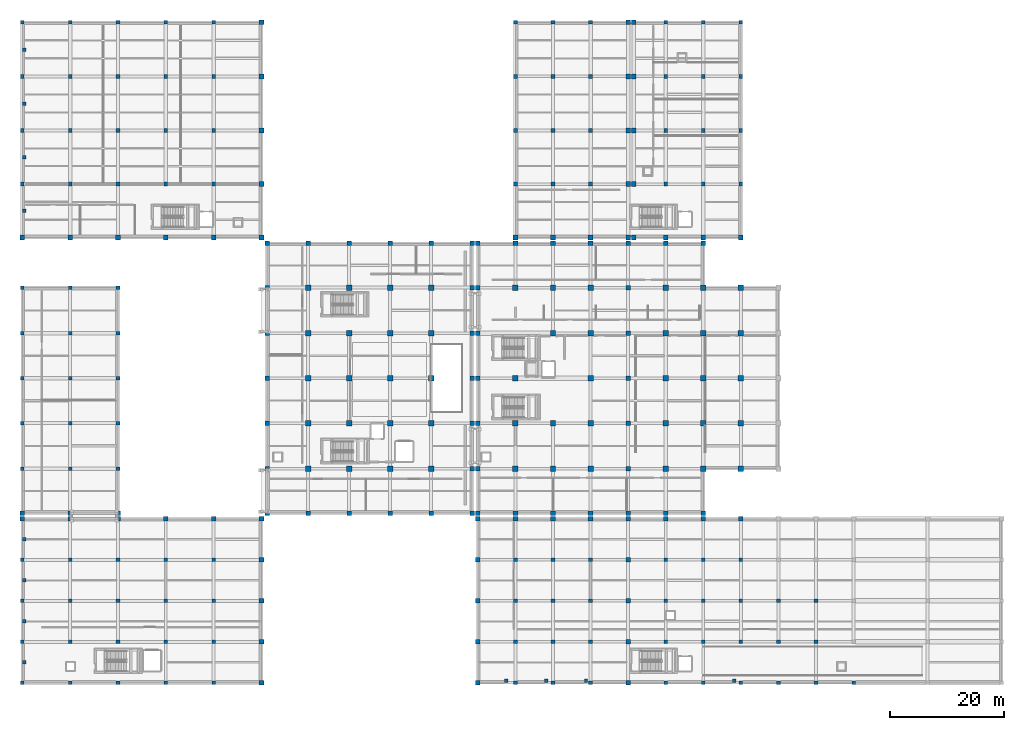
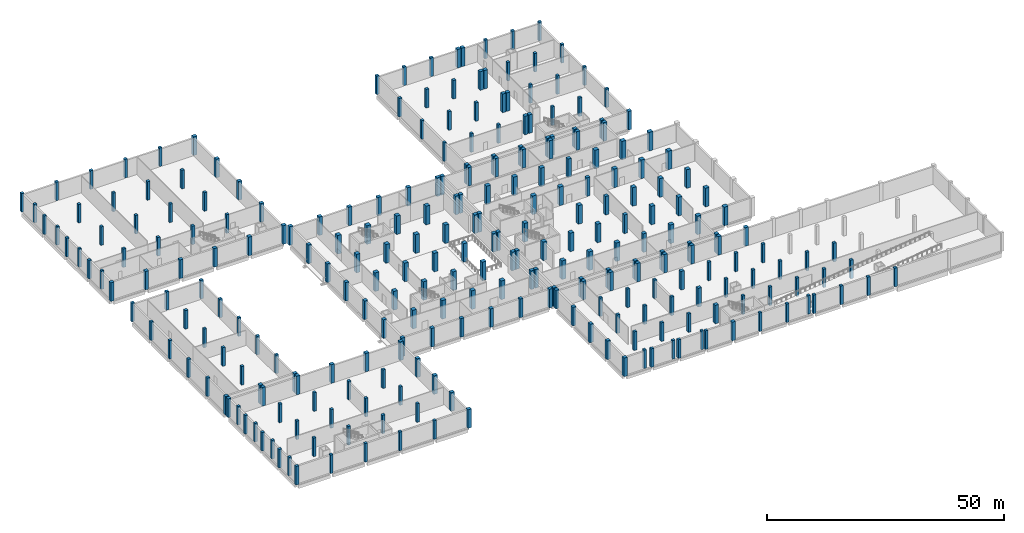
# One storey, part 1 of 31: 271 columns.
"""IFC4 building model written with IfcOpenShell, lengths in metres."""

from ifc_helpers import new_model, si_unit, direction, frame, origin, origin_2d, place, context, subcontext, project, spatial, rectangle, extrude, material, material_profile, profile_set, type_object, element, save


model = new_model("IFC4")

# Units and contexts
model_context = context("Model", 3, precision=1e-05, world=origin(), true_north=direction((0.0, 1.0)))
body_context = subcontext(model_context, "Body", "Model", "MODEL_VIEW")
ifc_project = project(units=[si_unit("LENGTHUNIT", "METRE"), si_unit("AREAUNIT", "SQUARE_METRE"), si_unit("VOLUMEUNIT", "CUBIC_METRE"), si_unit("PLANEANGLEUNIT", "RADIAN"), si_unit("MASSUNIT", "GRAM", prefix="KILO")], contexts=[model_context])

# Site, building, storey
site_placement = place(None, origin())
site = spatial("IfcSite", under=ifc_project, at=site_placement, CompositionType="ELEMENT")
building_placement = place(site_placement, origin())
building = spatial("IfcBuilding", under=site, at=building_placement, Name="Kelarvand Opera House", CompositionType="ELEMENT")
storey_placement = place(building_placement, frame((0.0, 0.0, -4.800048828125)))
storey = spatial("IfcBuildingStorey", under=building, at=storey_placement, Name="B1", CompositionType="ELEMENT", Elevation=-4.800048828125)

# Columns
ifc_material = material(Name="Concrete C40/50", Category="concrete")
ifc_material_profile_1 = material_profile(ifc_material, rectangle(XDim=0.60009765625, YDim=0.60009765625, at=origin_2d()), Name="RC 600x600", Category="concrete")
ifc_profile_set_1 = profile_set([ifc_material_profile_1], Name="Concrete C40/50")
column_type_1 = type_object("IfcColumnType", Name="Structural Column RC 600x600 (Int) COL-600", PredefinedType="COLUMN", material=ifc_profile_set_1)
for number, where, z_axis, x_axis, name in (
    (1, (9.35009765625, 91.89990234375, 0.0), (0.0, 0.0, 1.0), (1.0, 0.0, 0.0), "V3 Facade Pilaster B1 1"),
    (2, (9.35009765625, 101.300048828125, 0.0), (0.0, 0.0, 1.0), (1.0, 0.0, 0.0), "V3 Facade Pilaster B1 2"),
    (3, (9.35009765625, 110.699951171875, 0.0), (0.0, 0.0, 1.0), (1.0, 0.0, 0.0), "V3 Facade Pilaster B1 3"),
    (4, (9.35009765625, 120.199951171875, 0.0), (0.0, 0.0, 1.0), (1.0, 0.0, 0.0), "V3 Facade Pilaster B1 4"),
    (5, (9.35009765625, 12.60009765625, 0.0), (0.0, 0.0, 1.0), (1.0, 0.0, 0.0), "V4 Facade Pilaster B1 5"),
    (6, (9.35009765625, 19.800048828125, 0.0), (0.0, 0.0, 1.0), (1.0, 0.0, 0.0), "V4 Facade Pilaster B1 6"),
    (7, (9.35009765625, 27.0, 0.0), (0.0, 0.0, 1.0), (1.0, 0.0, 0.0), "V4 Facade Pilaster B1 7"),
    (8, (9.35009765625, 34.199951171875, 0.0), (0.0, 0.0, 1.0), (1.0, 0.0, 0.0), "V4 Facade Pilaster B1 8"),
    (9, (94.0, 9.35009765625, 0.0), (0.0, 0.0, 1.0), (1.0, 0.0, 0.0), "V6 Facade Pilaster B1 9"),
    (10, (101.0, 9.35009765625, 0.0), (0.0, 0.0, 1.0), (1.0, 0.0, 0.0), "V6 Facade Pilaster B1 10"),
    (11, (108.0, 9.35009765625, 0.0), (0.0, 0.0, 1.0), (1.0, 0.0, 0.0), "V6 Facade Pilaster B1 11"),
    (12, (134.0, 9.35009765625, 0.0), (0.0, 0.0, 1.0), (1.0, 0.0, 0.0), "V6 Facade Pilaster B1 12"),
):
    element("IfcColumn", number, at=place(storey_placement, frame(where, z_axis=z_axis, x_axis=x_axis)), inside=storey, type_object=column_type_1, Name=name, PredefinedType="COLUMN", context=body_context, shape_type="SweptSolid", body=[
        extrude(rectangle(XDim=0.60009765625, YDim=0.60009765625, at=origin_2d()), origin(), (0.0, 0.0, 1.0), 4.800048828125),
    ])
ifc_material_profile_2 = material_profile(ifc_material, rectangle(XDim=0.64990234375, YDim=0.64990234375, at=origin_2d()), Name="RC 650x650", Category="concrete")
ifc_profile_set_2 = profile_set([ifc_material_profile_2], Name="Concrete C40/50")
column_type_2 = type_object("IfcColumnType", Name="Structural Column RC 650x650 (Int) COL-650", PredefinedType="COLUMN", material=ifc_profile_set_2)
for number, where, z_axis, x_axis, name in (
    (13, (9.0, 96.60009765625, 0.0), (0.0, 0.0, 1.0), (1.0, 0.0, 0.0), "V3 Column COL-650 at B1"),
    (14, (9.0, 106.0, 0.0), (0.0, 0.0, 1.0), (1.0, 0.0, 0.0), "V3 Column COL-650 at B1"),
    (15, (9.0, 115.5, 0.0), (0.0, 0.0, 1.0), (1.0, 0.0, 0.0), "V3 Column COL-650 at B1"),
    (16, (9.0, 125.0, 0.0), (0.0, 0.0, 1.0), (1.0, 0.0, 0.0), "V3 Column COL-650 at B1"),
    (17, (17.39990234375, 96.60009765625, 0.0), (0.0, 0.0, 1.0), (1.0, 0.0, 0.0), "V3 Column COL-650 at B1"),
    (18, (17.39990234375, 106.0, 0.0), (0.0, 0.0, 1.0), (1.0, 0.0, 0.0), "V3 Column COL-650 at B1"),
    (19, (17.39990234375, 115.5, 0.0), (0.0, 0.0, 1.0), (1.0, 0.0, 0.0), "V3 Column COL-650 at B1"),
    (20, (17.39990234375, 125.0, 0.0), (0.0, 0.0, 1.0), (1.0, 0.0, 0.0), "V3 Column COL-650 at B1"),
    (21, (25.800048828125, 96.60009765625, 0.0), (0.0, 0.0, 1.0), (1.0, 0.0, 0.0), "V3 Column COL-650 at B1"),
    (22, (25.800048828125, 106.0, 0.0), (0.0, 0.0, 1.0), (1.0, 0.0, 0.0), "V3 Column COL-650 at B1"),
    (23, (25.800048828125, 115.5, 0.0), (0.0, 0.0, 1.0), (1.0, 0.0, 0.0), "V3 Column COL-650 at B1"),
    (24, (25.800048828125, 125.0, 0.0), (0.0, 0.0, 1.0), (1.0, 0.0, 0.0), "V3 Column COL-650 at B1"),
    (25, (34.199951171875, 96.60009765625, 0.0), (0.0, 0.0, 1.0), (1.0, 0.0, 0.0), "V3 Column COL-650 at B1"),
    (26, (34.199951171875, 106.0, 0.0), (0.0, 0.0, 1.0), (1.0, 0.0, 0.0), "V3 Column COL-650 at B1"),
    (27, (34.199951171875, 115.5, 0.0), (0.0, 0.0, 1.0), (1.0, 0.0, 0.0), "V3 Column COL-650 at B1"),
    (28, (34.199951171875, 125.0, 0.0), (0.0, 0.0, 1.0), (1.0, 0.0, 0.0), "V3 Column COL-650 at B1"),
    (29, (42.60009765625, 96.60009765625, 0.0), (0.0, 0.0, 1.0), (1.0, 0.0, 0.0), "V3 Column COL-650 at B1"),
    (30, (42.60009765625, 106.0, 0.0), (0.0, 0.0, 1.0), (1.0, 0.0, 0.0), "V3 Column COL-650 at B1"),
    (31, (42.60009765625, 115.5, 0.0), (0.0, 0.0, 1.0), (1.0, 0.0, 0.0), "V3 Column COL-650 at B1"),
    (32, (42.60009765625, 125.0, 0.0), (0.0, 0.0, 1.0), (1.0, 0.0, 0.0), "V3 Column COL-650 at B1"),
    (33, (9.0, 9.0, 0.0), (0.0, 0.0, 1.0), (1.0, 0.0, 0.0), "V4 Column COL-650 at B1"),
    (34, (9.0, 16.199951171875, 0.0), (0.0, 0.0, 1.0), (1.0, 0.0, 0.0), "V4 Column COL-650 at B1"),
    (35, (9.0, 23.39990234375, 0.0), (0.0, 0.0, 1.0), (1.0, 0.0, 0.0), "V4 Column COL-650 at B1"),
    (36, (9.0, 30.60009765625, 0.0), (0.0, 0.0, 1.0), (1.0, 0.0, 0.0), "V4 Column COL-650 at B1"),
    (37, (9.0, 46.60009765625, 0.0), (0.0, 0.0, 1.0), (1.0, 0.0, 0.0), "V4 Column COL-650 at B1"),
    (38, (9.0, 54.60009765625, 0.0), (0.0, 0.0, 1.0), (1.0, 0.0, 0.0), "V4 Column COL-650 at B1"),
    (39, (9.0, 62.5, 0.0), (0.0, 0.0, 1.0), (1.0, 0.0, 0.0), "V4 Column COL-650 at B1"),
    (40, (9.0, 70.39990234375, 0.0), (0.0, 0.0, 1.0), (1.0, 0.0, 0.0), "V4 Column COL-650 at B1"),
    (41, (9.0, 78.39990234375, 0.0), (0.0, 0.0, 1.0), (1.0, 0.0, 0.0), "V4 Column COL-650 at B1"),
    (42, (17.39990234375, 9.0, 0.0), (0.0, 0.0, 1.0), (1.0, 0.0, 0.0), "V4 Column COL-650 at B1"),
    (43, (17.39990234375, 16.199951171875, 0.0), (0.0, 0.0, 1.0), (1.0, 0.0, 0.0), "V4 Column COL-650 at B1"),
    (44, (17.39990234375, 23.39990234375, 0.0), (0.0, 0.0, 1.0), (1.0, 0.0, 0.0), "V4 Column COL-650 at B1"),
    (45, (17.39990234375, 30.60009765625, 0.0), (0.0, 0.0, 1.0), (1.0, 0.0, 0.0), "V4 Column COL-650 at B1"),
    (46, (17.39990234375, 46.60009765625, 0.0), (0.0, 0.0, 1.0), (1.0, 0.0, 0.0), "V4 Column COL-650 at B1"),
    (47, (17.39990234375, 54.60009765625, 0.0), (0.0, 0.0, 1.0), (1.0, 0.0, 0.0), "V4 Column COL-650 at B1"),
    (48, (17.39990234375, 62.5, 0.0), (0.0, 0.0, 1.0), (1.0, 0.0, 0.0), "V4 Column COL-650 at B1"),
    (49, (17.39990234375, 70.39990234375, 0.0), (0.0, 0.0, 1.0), (1.0, 0.0, 0.0), "V4 Column COL-650 at B1"),
    (50, (17.39990234375, 78.39990234375, 0.0), (0.0, 0.0, 1.0), (1.0, 0.0, 0.0), "V4 Column COL-650 at B1"),
    (51, (25.800048828125, 9.0, 0.0), (0.0, 0.0, 1.0), (1.0, 0.0, 0.0), "V4 Column COL-650 at B1"),
    (52, (25.800048828125, 16.199951171875, 0.0), (0.0, 0.0, 1.0), (1.0, 0.0, 0.0), "V4 Column COL-650 at B1"),
    (53, (25.800048828125, 23.39990234375, 0.0), (0.0, 0.0, 1.0), (1.0, 0.0, 0.0), "V4 Column COL-650 at B1"),
    (54, (25.800048828125, 30.60009765625, 0.0), (0.0, 0.0, 1.0), (1.0, 0.0, 0.0), "V4 Column COL-650 at B1"),
    (55, (25.800048828125, 46.60009765625, 0.0), (0.0, 0.0, 1.0), (1.0, 0.0, 0.0), "V4 Column COL-650 at B1"),
    (56, (25.800048828125, 54.60009765625, 0.0), (0.0, 0.0, 1.0), (1.0, 0.0, 0.0), "V4 Column COL-650 at B1"),
    (57, (25.800048828125, 62.5, 0.0), (0.0, 0.0, 1.0), (1.0, 0.0, 0.0), "V4 Column COL-650 at B1"),
    (58, (25.800048828125, 70.39990234375, 0.0), (0.0, 0.0, 1.0), (1.0, 0.0, 0.0), "V4 Column COL-650 at B1"),
    (59, (25.800048828125, 78.39990234375, 0.0), (0.0, 0.0, 1.0), (1.0, 0.0, 0.0), "V4 Column COL-650 at B1"),
    (60, (34.199951171875, 9.0, 0.0), (0.0, 0.0, 1.0), (1.0, 0.0, 0.0), "V4 Column COL-650 at B1"),
    (61, (34.199951171875, 16.199951171875, 0.0), (0.0, 0.0, 1.0), (1.0, 0.0, 0.0), "V4 Column COL-650 at B1"),
    (62, (34.199951171875, 23.39990234375, 0.0), (0.0, 0.0, 1.0), (1.0, 0.0, 0.0), "V4 Column COL-650 at B1"),
    (63, (34.199951171875, 30.60009765625, 0.0), (0.0, 0.0, 1.0), (1.0, 0.0, 0.0), "V4 Column COL-650 at B1"),
    (64, (42.60009765625, 9.0, 0.0), (0.0, 0.0, 1.0), (1.0, 0.0, 0.0), "V4 Column COL-650 at B1"),
    (65, (42.60009765625, 16.199951171875, 0.0), (0.0, 0.0, 1.0), (1.0, 0.0, 0.0), "V4 Column COL-650 at B1"),
    (66, (42.60009765625, 23.39990234375, 0.0), (0.0, 0.0, 1.0), (1.0, 0.0, 0.0), "V4 Column COL-650 at B1"),
    (67, (42.60009765625, 30.60009765625, 0.0), (0.0, 0.0, 1.0), (1.0, 0.0, 0.0), "V4 Column COL-650 at B1"),
    (68, (95.60009765625, 96.60009765625, 0.0), (0.0, 0.0, 1.0), (1.0, 0.0, 0.0), "V5 Column COL-650 at B1"),
    (69, (95.60009765625, 106.0, 0.0), (0.0, 0.0, 1.0), (1.0, 0.0, 0.0), "V5 Column COL-650 at B1"),
    (70, (95.60009765625, 115.5, 0.0), (0.0, 0.0, 1.0), (1.0, 0.0, 0.0), "V5 Column COL-650 at B1"),
    (71, (95.60009765625, 125.0, 0.0), (0.0, 0.0, 1.0), (1.0, 0.0, 0.0), "V5 Column COL-650 at B1"),
    (72, (102.199951171875, 96.60009765625, 0.0), (0.0, 0.0, 1.0), (1.0, 0.0, 0.0), "V5 Column COL-650 at B1"),
    (73, (102.199951171875, 106.0, 0.0), (0.0, 0.0, 1.0), (1.0, 0.0, 0.0), "V5 Column COL-650 at B1"),
    (74, (102.199951171875, 115.5, 0.0), (0.0, 0.0, 1.0), (1.0, 0.0, 0.0), "V5 Column COL-650 at B1"),
    (75, (102.199951171875, 125.0, 0.0), (0.0, 0.0, 1.0), (1.0, 0.0, 0.0), "V5 Column COL-650 at B1"),
    (76, (108.800048828125, 96.60009765625, 0.0), (0.0, 0.0, 1.0), (1.0, 0.0, 0.0), "V5 Column COL-650 at B1"),
    (77, (108.800048828125, 106.0, 0.0), (0.0, 0.0, 1.0), (1.0, 0.0, 0.0), "V5 Column COL-650 at B1"),
    (78, (108.800048828125, 115.5, 0.0), (0.0, 0.0, 1.0), (1.0, 0.0, 0.0), "V5 Column COL-650 at B1"),
    (79, (108.800048828125, 125.0, 0.0), (0.0, 0.0, 1.0), (1.0, 0.0, 0.0), "V5 Column COL-650 at B1"),
    (80, (122.0, 96.60009765625, 0.0), (0.0, 0.0, 1.0), (1.0, 0.0, 0.0), "V5 Column COL-650 at B1"),
    (81, (122.0, 106.0, 0.0), (0.0, 0.0, 1.0), (1.0, 0.0, 0.0), "V5 Column COL-650 at B1"),
    (82, (122.0, 115.5, 0.0), (0.0, 0.0, 1.0), (1.0, 0.0, 0.0), "V5 Column COL-650 at B1"),
    (83, (122.0, 125.0, 0.0), (0.0, 0.0, 1.0), (1.0, 0.0, 0.0), "V5 Column COL-650 at B1"),
    (84, (128.60009765625, 96.60009765625, 0.0), (0.0, 0.0, 1.0), (1.0, 0.0, 0.0), "V5 Column COL-650 at B1"),
    (85, (128.60009765625, 106.0, 0.0), (0.0, 0.0, 1.0), (1.0, 0.0, 0.0), "V5 Column COL-650 at B1"),
    (86, (128.60009765625, 115.5, 0.0), (0.0, 0.0, 1.0), (1.0, 0.0, 0.0), "V5 Column COL-650 at B1"),
    (87, (128.60009765625, 125.0, 0.0), (0.0, 0.0, 1.0), (1.0, 0.0, 0.0), "V5 Column COL-650 at B1"),
    (88, (135.199951171875, 96.60009765625, 0.0), (0.0, 0.0, 1.0), (1.0, 0.0, 0.0), "V5 Column COL-650 at B1"),
    (89, (135.199951171875, 106.0, 0.0), (0.0, 0.0, 1.0), (1.0, 0.0, 0.0), "V5 Column COL-650 at B1"),
    (90, (135.199951171875, 115.5, 0.0), (0.0, 0.0, 1.0), (1.0, 0.0, 0.0), "V5 Column COL-650 at B1"),
    (91, (135.199951171875, 125.0, 0.0), (0.0, 0.0, 1.0), (1.0, 0.0, 0.0), "V5 Column COL-650 at B1"),
    (92, (95.60009765625, 9.0, 0.0), (0.0, 0.0, 1.0), (1.0, 0.0, 0.0), "V6 Column COL-650 at B1"),
    (93, (95.60009765625, 16.199951171875, 0.0), (0.0, 0.0, 1.0), (1.0, 0.0, 0.0), "V6 Column COL-650 at B1"),
    (94, (95.60009765625, 23.39990234375, 0.0), (0.0, 0.0, 1.0), (1.0, 0.0, 0.0), "V6 Column COL-650 at B1"),
    (95, (95.60009765625, 30.60009765625, 0.0), (0.0, 0.0, 1.0), (1.0, 0.0, 0.0), "V6 Column COL-650 at B1"),
    (96, (102.199951171875, 9.0, 0.0), (0.0, 0.0, 1.0), (1.0, 0.0, 0.0), "V6 Column COL-650 at B1"),
    (97, (102.199951171875, 16.199951171875, 0.0), (0.0, 0.0, 1.0), (1.0, 0.0, 0.0), "V6 Column COL-650 at B1"),
    (98, (102.199951171875, 23.39990234375, 0.0), (0.0, 0.0, 1.0), (1.0, 0.0, 0.0), "V6 Column COL-650 at B1"),
    (99, (102.199951171875, 30.60009765625, 0.0), (0.0, 0.0, 1.0), (1.0, 0.0, 0.0), "V6 Column COL-650 at B1"),
    (100, (108.800048828125, 9.0, 0.0), (0.0, 0.0, 1.0), (1.0, 0.0, 0.0), "V6 Column COL-650 at B1"),
    (101, (108.800048828125, 16.199951171875, 0.0), (0.0, 0.0, 1.0), (1.0, 0.0, 0.0), "V6 Column COL-650 at B1"),
    (102, (108.800048828125, 23.39990234375, 0.0), (0.0, 0.0, 1.0), (1.0, 0.0, 0.0), "V6 Column COL-650 at B1"),
    (103, (108.800048828125, 30.60009765625, 0.0), (0.0, 0.0, 1.0), (1.0, 0.0, 0.0), "V6 Column COL-650 at B1"),
    (104, (122.0, 9.0, 0.0), (0.0, 0.0, 1.0), (1.0, 0.0, 0.0), "V6 Column COL-650 at B1"),
    (105, (122.0, 16.199951171875, 0.0), (0.0, 0.0, 1.0), (1.0, 0.0, 0.0), "V6 Column COL-650 at B1"),
    (106, (122.0, 23.39990234375, 0.0), (0.0, 0.0, 1.0), (1.0, 0.0, 0.0), "V6 Column COL-650 at B1"),
    (107, (122.0, 30.60009765625, 0.0), (0.0, 0.0, 1.0), (1.0, 0.0, 0.0), "V6 Column COL-650 at B1"),
    (108, (128.60009765625, 9.0, 0.0), (0.0, 0.0, 1.0), (1.0, 0.0, 0.0), "V6 Column COL-650 at B1"),
    (109, (128.60009765625, 16.199951171875, 0.0), (0.0, 0.0, 1.0), (1.0, 0.0, 0.0), "V6 Column COL-650 at B1"),
    (110, (128.60009765625, 23.39990234375, 0.0), (0.0, 0.0, 1.0), (1.0, 0.0, 0.0), "V6 Column COL-650 at B1"),
    (111, (128.60009765625, 30.60009765625, 0.0), (0.0, 0.0, 1.0), (1.0, 0.0, 0.0), "V6 Column COL-650 at B1"),
    (112, (135.199951171875, 9.0, 0.0), (0.0, 0.0, 1.0), (1.0, 0.0, 0.0), "V6 Column COL-650 at B1"),
    (113, (135.199951171875, 16.199951171875, 0.0), (0.0, 0.0, 1.0), (1.0, 0.0, 0.0), "V6 Column COL-650 at B1"),
    (114, (135.199951171875, 23.39990234375, 0.0), (0.0, 0.0, 1.0), (1.0, 0.0, 0.0), "V6 Column COL-650 at B1"),
    (115, (135.199951171875, 30.60009765625, 0.0), (0.0, 0.0, 1.0), (1.0, 0.0, 0.0), "V6 Column COL-650 at B1"),
    (116, (141.800048828125, 9.0, 0.0), (0.0, 0.0, 1.0), (1.0, 0.0, 0.0), "V6 Column COL-650 at B1"),
    (117, (141.800048828125, 16.199951171875, 0.0), (0.0, 0.0, 1.0), (1.0, 0.0, 0.0), "V6 Column COL-650 at B1"),
    (118, (141.800048828125, 23.39990234375, 0.0), (0.0, 0.0, 1.0), (1.0, 0.0, 0.0), "V6 Column COL-650 at B1"),
    (119, (148.39990234375, 9.0, 0.0), (0.0, 0.0, 1.0), (1.0, 0.0, 0.0), "V6 Column COL-650 at B1"),
    (120, (148.39990234375, 16.199951171875, 0.0), (0.0, 0.0, 1.0), (1.0, 0.0, 0.0), "V6 Column COL-650 at B1"),
    (121, (148.39990234375, 23.39990234375, 0.0), (0.0, 0.0, 1.0), (1.0, 0.0, 0.0), "V6 Column COL-650 at B1"),
    (122, (155.0, 9.0, 0.0), (0.0, 0.0, 1.0), (1.0, 0.0, 0.0), "V6 Column COL-650 at B1"),
):
    element("IfcColumn", number, at=place(storey_placement, frame(where, z_axis=z_axis, x_axis=x_axis)), inside=storey, type_object=column_type_2, Name=name, PredefinedType="COLUMN", context=body_context, shape_type="SweptSolid", body=[
        extrude(rectangle(XDim=0.64990234375, YDim=0.64990234375, at=origin_2d()), origin(), (0.0, 0.0, 1.0), 4.800048828125),
    ])
ifc_material_profile_3 = material_profile(ifc_material, rectangle(XDim=0.820068359375, YDim=0.820068359375, at=origin_2d()), Name="RC 820x820", Category="concrete")
ifc_profile_set_3 = profile_set([ifc_material_profile_3], Name="Concrete C40/50")
column_type_3 = type_object("IfcColumnType", Name="Structural Column RC 820x820 (Int) COL-820", PredefinedType="COLUMN", material=ifc_profile_set_3)
for number, where, z_axis, x_axis, name in (
    (123, (89.0, 38.800048828125, 0.0), (0.0, 0.0, 1.0), (1.0, 0.0, 0.0), "V1 Column COL-820 at B1"),
    (124, (89.0, 46.60009765625, 0.0), (0.0, 0.0, 1.0), (1.0, 0.0, 0.0), "V1 Column COL-820 at B1"),
    (125, (89.0, 54.60009765625, 0.0), (0.0, 0.0, 1.0), (1.0, 0.0, 0.0), "V1 Column COL-820 at B1"),
    (126, (89.0, 62.5, 0.0), (0.0, 0.0, 1.0), (1.0, 0.0, 0.0), "V1 Column COL-820 at B1"),
    (127, (89.0, 70.39990234375, 0.0), (0.0, 0.0, 1.0), (1.0, 0.0, 0.0), "V1 Column COL-820 at B1"),
    (128, (89.0, 78.39990234375, 0.0), (0.0, 0.0, 1.0), (1.0, 0.0, 0.0), "V1 Column COL-820 at B1"),
    (129, (89.0, 86.199951171875, 0.0), (0.0, 0.0, 1.0), (1.0, 0.0, 0.0), "V1 Column COL-820 at B1"),
    (130, (95.60009765625, 38.800048828125, 0.0), (0.0, 0.0, 1.0), (1.0, 0.0, 0.0), "V1 Column COL-820 at B1"),
    (131, (95.60009765625, 86.199951171875, 0.0), (0.0, 0.0, 1.0), (1.0, 0.0, 0.0), "V1 Column COL-820 at B1"),
    (132, (102.199951171875, 38.800048828125, 0.0), (0.0, 0.0, 1.0), (1.0, 0.0, 0.0), "V1 Column COL-820 at B1"),
    (133, (102.199951171875, 86.199951171875, 0.0), (0.0, 0.0, 1.0), (1.0, 0.0, 0.0), "V1 Column COL-820 at B1"),
    (134, (108.800048828125, 38.800048828125, 0.0), (0.0, 0.0, 1.0), (1.0, 0.0, 0.0), "V1 Column COL-820 at B1"),
    (135, (108.800048828125, 86.199951171875, 0.0), (0.0, 0.0, 1.0), (1.0, 0.0, 0.0), "V1 Column COL-820 at B1"),
    (136, (115.39990234375, 38.800048828125, 0.0), (0.0, 0.0, 1.0), (1.0, 0.0, 0.0), "V1 Column COL-820 at B1"),
    (137, (115.39990234375, 46.60009765625, 0.0), (0.0, 0.0, 1.0), (1.0, 0.0, 0.0), "V1 Column COL-820 at B1"),
    (138, (115.39990234375, 54.60009765625, 0.0), (0.0, 0.0, 1.0), (1.0, 0.0, 0.0), "V1 Column COL-820 at B1"),
    (139, (115.39990234375, 62.5, 0.0), (0.0, 0.0, 1.0), (1.0, 0.0, 0.0), "V1 Column COL-820 at B1"),
    (140, (115.39990234375, 70.39990234375, 0.0), (0.0, 0.0, 1.0), (1.0, 0.0, 0.0), "V1 Column COL-820 at B1"),
    (141, (115.39990234375, 78.39990234375, 0.0), (0.0, 0.0, 1.0), (1.0, 0.0, 0.0), "V1 Column COL-820 at B1"),
    (142, (115.39990234375, 86.199951171875, 0.0), (0.0, 0.0, 1.0), (1.0, 0.0, 0.0), "V1 Column COL-820 at B1"),
    (143, (122.0, 38.800048828125, 0.0), (0.0, 0.0, 1.0), (1.0, 0.0, 0.0), "V1 Column COL-820 at B1"),
    (144, (122.0, 86.199951171875, 0.0), (0.0, 0.0, 1.0), (1.0, 0.0, 0.0), "V1 Column COL-820 at B1"),
    (145, (128.60009765625, 38.800048828125, 0.0), (0.0, 0.0, 1.0), (1.0, 0.0, 0.0), "V1 Column COL-820 at B1"),
    (146, (128.60009765625, 86.199951171875, 0.0), (0.0, 0.0, 1.0), (1.0, 0.0, 0.0), "V1 Column COL-820 at B1"),
    (147, (52.0, 38.800048828125, 0.0), (0.0, 0.0, 1.0), (1.0, 0.0, 0.0), "V2 Column COL-820 at B1"),
    (148, (52.0, 46.60009765625, 0.0), (0.0, 0.0, 1.0), (1.0, 0.0, 0.0), "V2 Column COL-820 at B1"),
    (149, (52.0, 54.60009765625, 0.0), (0.0, 0.0, 1.0), (1.0, 0.0, 0.0), "V2 Column COL-820 at B1"),
    (150, (52.0, 62.5, 0.0), (0.0, 0.0, 1.0), (1.0, 0.0, 0.0), "V2 Column COL-820 at B1"),
    (151, (52.0, 70.39990234375, 0.0), (0.0, 0.0, 1.0), (1.0, 0.0, 0.0), "V2 Column COL-820 at B1"),
    (152, (52.0, 78.39990234375, 0.0), (0.0, 0.0, 1.0), (1.0, 0.0, 0.0), "V2 Column COL-820 at B1"),
    (153, (52.0, 86.199951171875, 0.0), (0.0, 0.0, 1.0), (1.0, 0.0, 0.0), "V2 Column COL-820 at B1"),
    (154, (59.199951171875, 38.800048828125, 0.0), (0.0, 0.0, 1.0), (1.0, 0.0, 0.0), "V2 Column COL-820 at B1"),
    (155, (59.199951171875, 86.199951171875, 0.0), (0.0, 0.0, 1.0), (1.0, 0.0, 0.0), "V2 Column COL-820 at B1"),
    (156, (66.39990234375, 38.800048828125, 0.0), (0.0, 0.0, 1.0), (1.0, 0.0, 0.0), "V2 Column COL-820 at B1"),
    (157, (66.39990234375, 86.199951171875, 0.0), (0.0, 0.0, 1.0), (1.0, 0.0, 0.0), "V2 Column COL-820 at B1"),
    (158, (73.60009765625, 38.800048828125, 0.0), (0.0, 0.0, 1.0), (1.0, 0.0, 0.0), "V2 Column COL-820 at B1"),
    (159, (73.60009765625, 86.199951171875, 0.0), (0.0, 0.0, 1.0), (1.0, 0.0, 0.0), "V2 Column COL-820 at B1"),
    (160, (80.800048828125, 38.800048828125, 0.0), (0.0, 0.0, 1.0), (1.0, 0.0, 0.0), "V2 Column COL-820 at B1"),
    (161, (80.800048828125, 86.199951171875, 0.0), (0.0, 0.0, 1.0), (1.0, 0.0, 0.0), "V2 Column COL-820 at B1"),
    (162, (88.0, 38.800048828125, 0.0), (0.0, 0.0, 1.0), (1.0, 0.0, 0.0), "V2 Column COL-820 at B1"),
    (163, (88.0, 46.60009765625, 0.0), (0.0, 0.0, 1.0), (1.0, 0.0, 0.0), "V2 Column COL-820 at B1"),
    (164, (88.0, 54.60009765625, 0.0), (0.0, 0.0, 1.0), (1.0, 0.0, 0.0), "V2 Column COL-820 at B1"),
    (165, (88.0, 62.5, 0.0), (0.0, 0.0, 1.0), (1.0, 0.0, 0.0), "V2 Column COL-820 at B1"),
    (166, (88.0, 70.39990234375, 0.0), (0.0, 0.0, 1.0), (1.0, 0.0, 0.0), "V2 Column COL-820 at B1"),
    (167, (88.0, 78.39990234375, 0.0), (0.0, 0.0, 1.0), (1.0, 0.0, 0.0), "V2 Column COL-820 at B1"),
    (168, (88.0, 86.199951171875, 0.0), (0.0, 0.0, 1.0), (1.0, 0.0, 0.0), "V2 Column COL-820 at B1"),
    (169, (9.0, 87.199951171875, 0.0), (0.0, 0.0, 1.0), (1.0, 0.0, 0.0), "V3 Column COL-820 at B1"),
    (170, (17.39990234375, 87.199951171875, 0.0), (0.0, 0.0, 1.0), (1.0, 0.0, 0.0), "V3 Column COL-820 at B1"),
    (171, (25.800048828125, 87.199951171875, 0.0), (0.0, 0.0, 1.0), (1.0, 0.0, 0.0), "V3 Column COL-820 at B1"),
    (172, (34.199951171875, 87.199951171875, 0.0), (0.0, 0.0, 1.0), (1.0, 0.0, 0.0), "V3 Column COL-820 at B1"),
    (173, (42.60009765625, 87.199951171875, 0.0), (0.0, 0.0, 1.0), (1.0, 0.0, 0.0), "V3 Column COL-820 at B1"),
    (174, (51.0, 87.199951171875, 0.0), (0.0, 0.0, 1.0), (1.0, 0.0, 0.0), "V3 Column COL-820 at B1"),
    (175, (51.0, 96.60009765625, 0.0), (0.0, 0.0, 1.0), (1.0, 0.0, 0.0), "V3 Column COL-820 at B1"),
    (176, (51.0, 106.0, 0.0), (0.0, 0.0, 1.0), (1.0, 0.0, 0.0), "V3 Column COL-820 at B1"),
    (177, (51.0, 115.5, 0.0), (0.0, 0.0, 1.0), (1.0, 0.0, 0.0), "V3 Column COL-820 at B1"),
    (178, (51.0, 125.0, 0.0), (0.0, 0.0, 1.0), (1.0, 0.0, 0.0), "V3 Column COL-820 at B1"),
    (179, (9.0, 37.800048828125, 0.0), (0.0, 0.0, 1.0), (1.0, 0.0, 0.0), "V4 Column COL-820 at B1"),
    (180, (9.0, 38.800048828125, 0.0), (0.0, 0.0, 1.0), (1.0, 0.0, 0.0), "V4 Column COL-820 at B1"),
    (181, (17.39990234375, 37.800048828125, 0.0), (0.0, 0.0, 1.0), (1.0, 0.0, 0.0), "V4 Column COL-820 at B1"),
    (182, (17.39990234375, 38.800048828125, 0.0), (0.0, 0.0, 1.0), (1.0, 0.0, 0.0), "V4 Column COL-820 at B1"),
    (183, (25.800048828125, 37.800048828125, 0.0), (0.0, 0.0, 1.0), (1.0, 0.0, 0.0), "V4 Column COL-820 at B1"),
    (184, (25.800048828125, 38.800048828125, 0.0), (0.0, 0.0, 1.0), (1.0, 0.0, 0.0), "V4 Column COL-820 at B1"),
    (185, (34.199951171875, 37.800048828125, 0.0), (0.0, 0.0, 1.0), (1.0, 0.0, 0.0), "V4 Column COL-820 at B1"),
    (186, (42.60009765625, 37.800048828125, 0.0), (0.0, 0.0, 1.0), (1.0, 0.0, 0.0), "V4 Column COL-820 at B1"),
    (187, (51.0, 9.0, 0.0), (0.0, 0.0, 1.0), (1.0, 0.0, 0.0), "V4 Column COL-820 at B1"),
    (188, (51.0, 16.199951171875, 0.0), (0.0, 0.0, 1.0), (1.0, 0.0, 0.0), "V4 Column COL-820 at B1"),
    (189, (51.0, 23.39990234375, 0.0), (0.0, 0.0, 1.0), (1.0, 0.0, 0.0), "V4 Column COL-820 at B1"),
    (190, (51.0, 30.60009765625, 0.0), (0.0, 0.0, 1.0), (1.0, 0.0, 0.0), "V4 Column COL-820 at B1"),
    (191, (51.0, 37.800048828125, 0.0), (0.0, 0.0, 1.0), (1.0, 0.0, 0.0), "V4 Column COL-820 at B1"),
    (192, (95.60009765625, 87.199951171875, 0.0), (0.0, 0.0, 1.0), (1.0, 0.0, 0.0), "V5 Column COL-820 at B1"),
    (193, (102.199951171875, 87.199951171875, 0.0), (0.0, 0.0, 1.0), (1.0, 0.0, 0.0), "V5 Column COL-820 at B1"),
    (194, (108.800048828125, 87.199951171875, 0.0), (0.0, 0.0, 1.0), (1.0, 0.0, 0.0), "V5 Column COL-820 at B1"),
    (195, (115.39990234375, 87.199951171875, 0.0), (0.0, 0.0, 1.0), (1.0, 0.0, 0.0), "V5 Column COL-820 at B1"),
    (196, (115.39990234375, 96.60009765625, 0.0), (0.0, 0.0, 1.0), (1.0, 0.0, 0.0), "V5 Column COL-820 at B1"),
    (197, (115.39990234375, 106.0, 0.0), (0.0, 0.0, 1.0), (1.0, 0.0, 0.0), "V5 Column COL-820 at B1"),
    (198, (115.39990234375, 115.5, 0.0), (0.0, 0.0, 1.0), (1.0, 0.0, 0.0), "V5 Column COL-820 at B1"),
    (199, (115.39990234375, 125.0, 0.0), (0.0, 0.0, 1.0), (1.0, 0.0, 0.0), "V5 Column COL-820 at B1"),
    (200, (116.39990234375, 87.199951171875, 0.0), (0.0, 0.0, 1.0), (1.0, 0.0, 0.0), "V5 Column COL-820 at B1"),
    (201, (116.39990234375, 96.60009765625, 0.0), (0.0, 0.0, 1.0), (1.0, 0.0, 0.0), "V5 Column COL-820 at B1"),
    (202, (116.39990234375, 106.0, 0.0), (0.0, 0.0, 1.0), (1.0, 0.0, 0.0), "V5 Column COL-820 at B1"),
    (203, (116.39990234375, 115.5, 0.0), (0.0, 0.0, 1.0), (1.0, 0.0, 0.0), "V5 Column COL-820 at B1"),
    (204, (116.39990234375, 125.0, 0.0), (0.0, 0.0, 1.0), (1.0, 0.0, 0.0), "V5 Column COL-820 at B1"),
    (205, (122.0, 87.199951171875, 0.0), (0.0, 0.0, 1.0), (1.0, 0.0, 0.0), "V5 Column COL-820 at B1"),
    (206, (128.60009765625, 87.199951171875, 0.0), (0.0, 0.0, 1.0), (1.0, 0.0, 0.0), "V5 Column COL-820 at B1"),
    (207, (135.199951171875, 87.199951171875, 0.0), (0.0, 0.0, 1.0), (1.0, 0.0, 0.0), "V5 Column COL-820 at B1"),
    (208, (89.0, 9.0, 0.0), (0.0, 0.0, 1.0), (1.0, 0.0, 0.0), "V6 Column COL-820 at B1"),
    (209, (89.0, 16.199951171875, 0.0), (0.0, 0.0, 1.0), (1.0, 0.0, 0.0), "V6 Column COL-820 at B1"),
    (210, (89.0, 23.39990234375, 0.0), (0.0, 0.0, 1.0), (1.0, 0.0, 0.0), "V6 Column COL-820 at B1"),
    (211, (89.0, 30.60009765625, 0.0), (0.0, 0.0, 1.0), (1.0, 0.0, 0.0), "V6 Column COL-820 at B1"),
    (212, (89.0, 37.800048828125, 0.0), (0.0, 0.0, 1.0), (1.0, 0.0, 0.0), "V6 Column COL-820 at B1"),
    (213, (95.60009765625, 37.800048828125, 0.0), (0.0, 0.0, 1.0), (1.0, 0.0, 0.0), "V6 Column COL-820 at B1"),
    (214, (102.199951171875, 37.800048828125, 0.0), (0.0, 0.0, 1.0), (1.0, 0.0, 0.0), "V6 Column COL-820 at B1"),
    (215, (108.800048828125, 37.800048828125, 0.0), (0.0, 0.0, 1.0), (1.0, 0.0, 0.0), "V6 Column COL-820 at B1"),
    (216, (115.39990234375, 9.0, 0.0), (0.0, 0.0, 1.0), (1.0, 0.0, 0.0), "V6 Column COL-820 at B1"),
    (217, (115.39990234375, 16.199951171875, 0.0), (0.0, 0.0, 1.0), (1.0, 0.0, 0.0), "V6 Column COL-820 at B1"),
    (218, (115.39990234375, 23.39990234375, 0.0), (0.0, 0.0, 1.0), (1.0, 0.0, 0.0), "V6 Column COL-820 at B1"),
    (219, (115.39990234375, 30.60009765625, 0.0), (0.0, 0.0, 1.0), (1.0, 0.0, 0.0), "V6 Column COL-820 at B1"),
    (220, (115.39990234375, 37.800048828125, 0.0), (0.0, 0.0, 1.0), (1.0, 0.0, 0.0), "V6 Column COL-820 at B1"),
    (221, (122.0, 37.800048828125, 0.0), (0.0, 0.0, 1.0), (1.0, 0.0, 0.0), "V6 Column COL-820 at B1"),
    (222, (128.60009765625, 37.800048828125, 0.0), (0.0, 0.0, 1.0), (1.0, 0.0, 0.0), "V6 Column COL-820 at B1"),
    (223, (135.199951171875, 37.800048828125, 0.0), (0.0, 0.0, 1.0), (1.0, 0.0, 0.0), "V6 Column COL-820 at B1"),
):
    element("IfcColumn", number, at=place(storey_placement, frame(where, z_axis=z_axis, x_axis=x_axis)), inside=storey, type_object=column_type_3, Name=name, PredefinedType="COLUMN", context=body_context, shape_type="SweptSolid", body=[
        extrude(rectangle(XDim=0.820068359375, YDim=0.820068359375, at=origin_2d()), origin(), (0.0, 0.0, 1.0), 4.800048828125),
    ])
ifc_material_profile_4 = material_profile(ifc_material, rectangle(XDim=0.949951171875, YDim=0.949951171875, at=origin_2d()), Name="RC 950x950", Category="concrete")
ifc_profile_set_4 = profile_set([ifc_material_profile_4], Name="Concrete C40/50")
column_type_4 = type_object("IfcColumnType", Name="Structural Column RC 950x950 (Int) COL-950", PredefinedType="COLUMN", material=ifc_profile_set_4)
for number, where, z_axis, x_axis, name in (
    (224, (95.60009765625, 46.60009765625, 0.0), (0.0, 0.0, 1.0), (1.0, 0.0, 0.0), "V1 Column COL-950 at B1"),
    (225, (95.60009765625, 54.60009765625, 0.0), (0.0, 0.0, 1.0), (1.0, 0.0, 0.0), "V1 Column COL-950 at B1"),
    (226, (95.60009765625, 62.5, 0.0), (0.0, 0.0, 1.0), (1.0, 0.0, 0.0), "V1 Column COL-950 at B1"),
    (227, (95.60009765625, 78.39990234375, 0.0), (0.0, 0.0, 1.0), (1.0, 0.0, 0.0), "V1 Column COL-950 at B1"),
    (228, (102.199951171875, 46.60009765625, 0.0), (0.0, 0.0, 1.0), (1.0, 0.0, 0.0), "V1 Column COL-950 at B1"),
    (229, (102.199951171875, 54.60009765625, 0.0), (0.0, 0.0, 1.0), (1.0, 0.0, 0.0), "V1 Column COL-950 at B1"),
    (230, (102.199951171875, 70.39990234375, 0.0), (0.0, 0.0, 1.0), (1.0, 0.0, 0.0), "V1 Column COL-950 at B1"),
    (231, (102.199951171875, 78.39990234375, 0.0), (0.0, 0.0, 1.0), (1.0, 0.0, 0.0), "V1 Column COL-950 at B1"),
    (232, (108.800048828125, 46.60009765625, 0.0), (0.0, 0.0, 1.0), (1.0, 0.0, 0.0), "V1 Column COL-950 at B1"),
    (233, (108.800048828125, 54.60009765625, 0.0), (0.0, 0.0, 1.0), (1.0, 0.0, 0.0), "V1 Column COL-950 at B1"),
    (234, (108.800048828125, 62.5, 0.0), (0.0, 0.0, 1.0), (1.0, 0.0, 0.0), "V1 Column COL-950 at B1"),
    (235, (108.800048828125, 70.39990234375, 0.0), (0.0, 0.0, 1.0), (1.0, 0.0, 0.0), "V1 Column COL-950 at B1"),
    (236, (108.800048828125, 78.39990234375, 0.0), (0.0, 0.0, 1.0), (1.0, 0.0, 0.0), "V1 Column COL-950 at B1"),
    (237, (122.0, 46.60009765625, 0.0), (0.0, 0.0, 1.0), (1.0, 0.0, 0.0), "V1 Column COL-950 at B1"),
    (238, (122.0, 54.60009765625, 0.0), (0.0, 0.0, 1.0), (1.0, 0.0, 0.0), "V1 Column COL-950 at B1"),
    (239, (122.0, 62.5, 0.0), (0.0, 0.0, 1.0), (1.0, 0.0, 0.0), "V1 Column COL-950 at B1"),
    (240, (122.0, 70.39990234375, 0.0), (0.0, 0.0, 1.0), (1.0, 0.0, 0.0), "V1 Column COL-950 at B1"),
    (241, (122.0, 78.39990234375, 0.0), (0.0, 0.0, 1.0), (1.0, 0.0, 0.0), "V1 Column COL-950 at B1"),
    (242, (128.60009765625, 46.60009765625, 0.0), (0.0, 0.0, 1.0), (1.0, 0.0, 0.0), "V1 Column COL-950 at B1"),
    (243, (128.60009765625, 54.60009765625, 0.0), (0.0, 0.0, 1.0), (1.0, 0.0, 0.0), "V1 Column COL-950 at B1"),
    (244, (128.60009765625, 62.5, 0.0), (0.0, 0.0, 1.0), (1.0, 0.0, 0.0), "V1 Column COL-950 at B1"),
    (245, (128.60009765625, 70.39990234375, 0.0), (0.0, 0.0, 1.0), (1.0, 0.0, 0.0), "V1 Column COL-950 at B1"),
    (246, (128.60009765625, 78.39990234375, 0.0), (0.0, 0.0, 1.0), (1.0, 0.0, 0.0), "V1 Column COL-950 at B1"),
    (247, (135.199951171875, 46.60009765625, 0.0), (0.0, 0.0, 1.0), (1.0, 0.0, 0.0), "V1 Column COL-950 at B1"),
    (248, (135.199951171875, 54.60009765625, 0.0), (0.0, 0.0, 1.0), (1.0, 0.0, 0.0), "V1 Column COL-950 at B1"),
    (249, (135.199951171875, 62.5, 0.0), (0.0, 0.0, 1.0), (1.0, 0.0, 0.0), "V1 Column COL-950 at B1"),
    (250, (135.199951171875, 70.39990234375, 0.0), (0.0, 0.0, 1.0), (1.0, 0.0, 0.0), "V1 Column COL-950 at B1"),
    (251, (135.199951171875, 78.39990234375, 0.0), (0.0, 0.0, 1.0), (1.0, 0.0, 0.0), "V1 Column COL-950 at B1"),
    (252, (59.199951171875, 46.60009765625, 0.0), (0.0, 0.0, 1.0), (1.0, 0.0, 0.0), "V2 Column COL-950 at B1"),
    (253, (59.199951171875, 54.60009765625, 0.0), (0.0, 0.0, 1.0), (1.0, 0.0, 0.0), "V2 Column COL-950 at B1"),
    (254, (59.199951171875, 62.5, 0.0), (0.0, 0.0, 1.0), (1.0, 0.0, 0.0), "V2 Column COL-950 at B1"),
    (255, (59.199951171875, 70.39990234375, 0.0), (0.0, 0.0, 1.0), (1.0, 0.0, 0.0), "V2 Column COL-950 at B1"),
    (256, (59.199951171875, 78.39990234375, 0.0), (0.0, 0.0, 1.0), (1.0, 0.0, 0.0), "V2 Column COL-950 at B1"),
    (257, (66.39990234375, 46.60009765625, 0.0), (0.0, 0.0, 1.0), (1.0, 0.0, 0.0), "V2 Column COL-950 at B1"),
    (258, (66.39990234375, 54.60009765625, 0.0), (0.0, 0.0, 1.0), (1.0, 0.0, 0.0), "V2 Column COL-950 at B1"),
    (259, (66.39990234375, 62.5, 0.0), (0.0, 0.0, 1.0), (1.0, 0.0, 0.0), "V2 Column COL-950 at B1"),
    (260, (66.39990234375, 70.39990234375, 0.0), (0.0, 0.0, 1.0), (1.0, 0.0, 0.0), "V2 Column COL-950 at B1"),
    (261, (66.39990234375, 78.39990234375, 0.0), (0.0, 0.0, 1.0), (1.0, 0.0, 0.0), "V2 Column COL-950 at B1"),
    (262, (73.60009765625, 46.60009765625, 0.0), (0.0, 0.0, 1.0), (1.0, 0.0, 0.0), "V2 Column COL-950 at B1"),
    (263, (73.60009765625, 54.60009765625, 0.0), (0.0, 0.0, 1.0), (1.0, 0.0, 0.0), "V2 Column COL-950 at B1"),
    (264, (73.60009765625, 62.5, 0.0), (0.0, 0.0, 1.0), (1.0, 0.0, 0.0), "V2 Column COL-950 at B1"),
    (265, (73.60009765625, 70.39990234375, 0.0), (0.0, 0.0, 1.0), (1.0, 0.0, 0.0), "V2 Column COL-950 at B1"),
    (266, (73.60009765625, 78.39990234375, 0.0), (0.0, 0.0, 1.0), (1.0, 0.0, 0.0), "V2 Column COL-950 at B1"),
    (267, (80.800048828125, 46.60009765625, 0.0), (0.0, 0.0, 1.0), (1.0, 0.0, 0.0), "V2 Column COL-950 at B1"),
    (268, (80.800048828125, 54.60009765625, 0.0), (0.0, 0.0, 1.0), (1.0, 0.0, 0.0), "V2 Column COL-950 at B1"),
    (269, (80.800048828125, 62.5, 0.0), (0.0, 0.0, 1.0), (1.0, 0.0, 0.0), "V2 Column COL-950 at B1"),
    (270, (80.800048828125, 70.39990234375, 0.0), (0.0, 0.0, 1.0), (1.0, 0.0, 0.0), "V2 Column COL-950 at B1"),
    (271, (80.800048828125, 78.39990234375, 0.0), (0.0, 0.0, 1.0), (1.0, 0.0, 0.0), "V2 Column COL-950 at B1"),
):
    element("IfcColumn", number, at=place(storey_placement, frame(where, z_axis=z_axis, x_axis=x_axis)), inside=storey, type_object=column_type_4, Name=name, PredefinedType="COLUMN", context=body_context, shape_type="SweptSolid", body=[
        extrude(rectangle(XDim=0.949951171875, YDim=0.949951171875, at=origin_2d()), origin(), (0.0, 0.0, 1.0), 4.800048828125),
    ])

save(model, "model.ifc")
